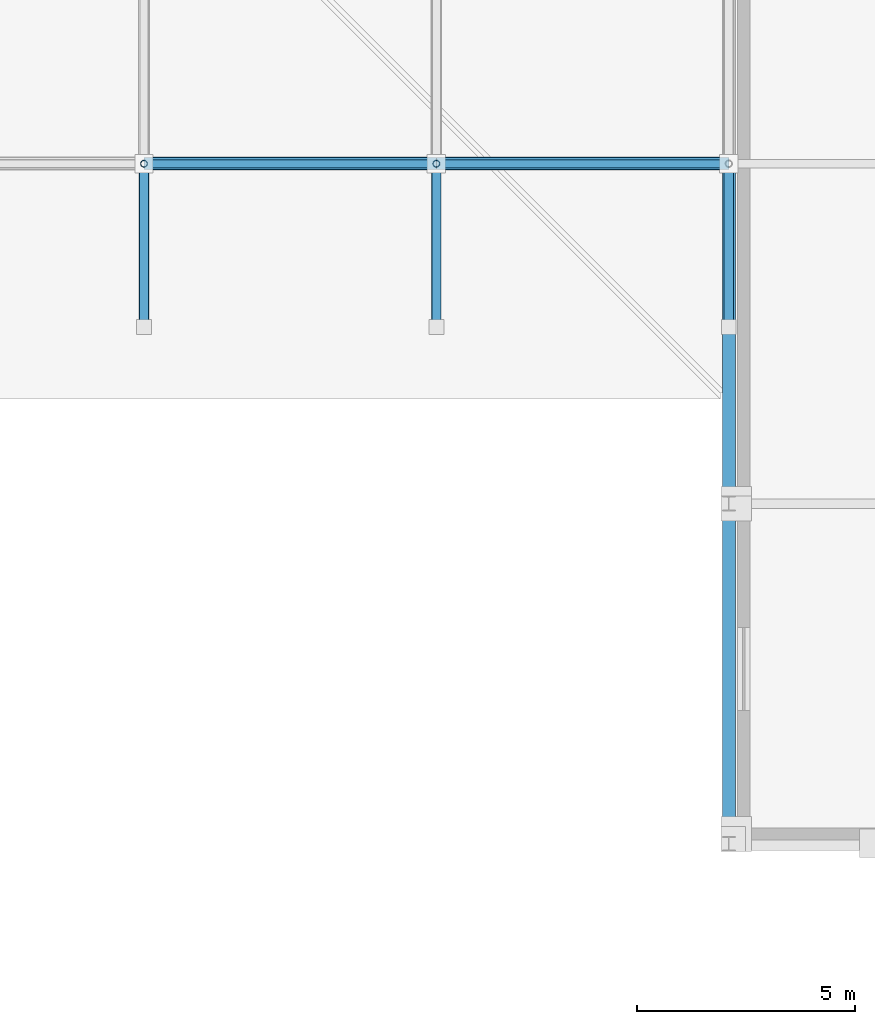
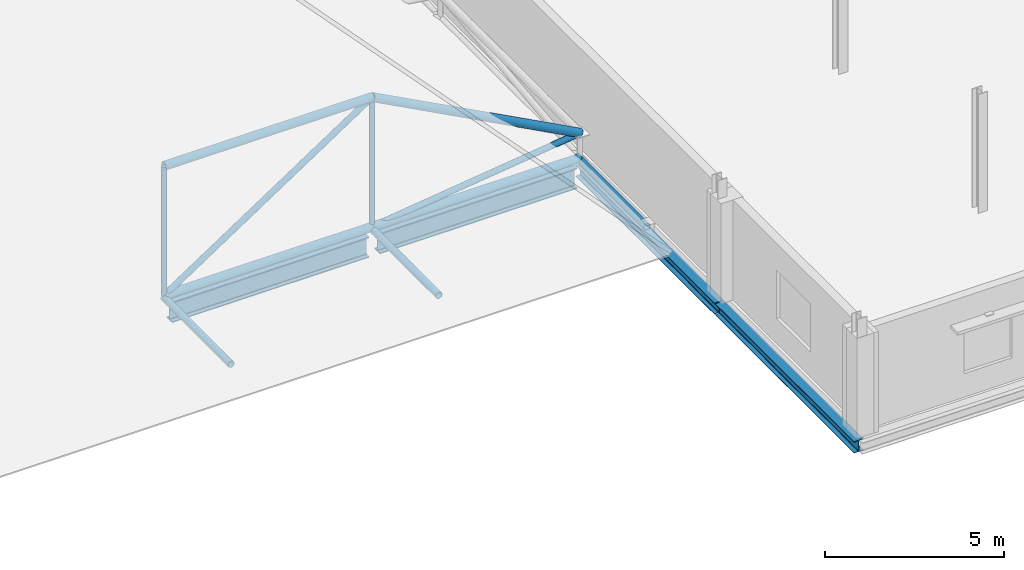
# One storey, part 31 of 77: 11 members, 4 beams.
"""IFC4 building model written with IfcOpenShell, lengths in metres."""

import ifcopenshell
import ifcopenshell.guid

model = None  # the IFC model being written
_history = None  # IfcOwnerHistory: only IFC2X3 demands one
_inside = {}  # id of a spatial element -> (the spatial element, [elements in it])
_under = {}  # id of a project, library or spatial element -> (it, [spatial elements below it])
_declared = {}  # id of a project -> (the project, [libraries it declares])
_typed = {}  # id of a type object -> (the type object, [elements of that type])
_made_of = {}  # id of a material, layer set ... -> (it, [elements and type objects made of it])


def new_model(schema):
    """Start an empty IFC model of exactly this schema.

    Asked for "IFC4X3", IfcOpenShell would pick the latest addendum, in which some entities
    have other attributes; the version numbers below select the first issue.
    IFC2X3 requires an IfcOwnerHistory on every rooted entity: one is made here for all.
    """
    global model, _history
    if schema == "IFC4X3":
        model = ifcopenshell.file(schema_version=(4, 3, 0, 0))
    else:
        model = ifcopenshell.file(schema=schema)
    _inside.clear()
    _under.clear()
    _declared.clear()
    _typed.clear()
    _made_of.clear()
    _history = None
    if model.schema == "IFC2X3":
        org = make("IfcOrganization", Name="unknown")
        user = make(
            "IfcPersonAndOrganization",
            ThePerson=make("IfcPerson", FamilyName="unknown"),
            TheOrganization=org,
        )
        app = make(
            "IfcApplication",
            ApplicationDeveloper=org,
            Version="unknown",
            ApplicationFullName="unknown",
            ApplicationIdentifier="unknown",
        )
        _history = make(
            "IfcOwnerHistory",
            OwningUser=user,
            OwningApplication=app,
            ChangeAction="ADDED",
            CreationDate=0,
        )
    return model


def make(cls, **values):
    """One entity of the class cls with the attributes given. An attribute that is None is left unset."""
    return model.create_entity(
        cls, **{name: value for name, value in values.items() if value is not None}
    )


def rooted(cls, **values):
    """An entity with a GlobalId (a new one), such as an element, a storey or a relation."""
    return make(cls, GlobalId=ifcopenshell.guid.new(), OwnerHistory=_history, **values)


def si_unit(unit_type, name, prefix=None):
    """IfcSIUnit, for example si_unit("LENGTHUNIT", "METRE", prefix="MILLI")."""
    return make("IfcSIUnit", UnitType=unit_type, Prefix=prefix, Name=name)


def assignment(units):
    """IfcUnitAssignment: the units of a project."""
    return None if units is None else make("IfcUnitAssignment", Units=units)


def point(xyz):
    """IfcCartesianPoint."""
    return None if xyz is None else make("IfcCartesianPoint", Coordinates=xyz)


def direction(xyz):
    """IfcDirection."""
    return None if xyz is None else make("IfcDirection", DirectionRatios=xyz)


def frame(location, z_axis=None, x_axis=None):
    """IfcAxis2Placement3D, a coordinate frame: its origin and axes. An axis left out is left unset."""
    return make(
        "IfcAxis2Placement3D",
        Location=point(location),
        Axis=direction(z_axis),
        RefDirection=direction(x_axis),
    )


def frame_2d(location, x_axis=None):
    """IfcAxis2Placement2D, a coordinate frame in the plane: its origin and x axis."""
    return make(
        "IfcAxis2Placement2D", Location=point(location), RefDirection=direction(x_axis)
    )


def origin():
    """The frame at (0, 0, 0) with its axes left unset."""
    return frame((0.0, 0.0, 0.0))


def origin_2d():
    """The frame at (0, 0) in the plane with its x axis left unset."""
    return frame_2d((0.0, 0.0))


def place(relative_to, where):
    """IfcLocalPlacement: puts the frame where relative to a parent placement (None: the world)."""
    return make(
        "IfcLocalPlacement", PlacementRelTo=relative_to, RelativePlacement=where
    )


def context(
    kind, dimensions, precision=None, world=None, true_north=None, identifier=None
):
    """IfcGeometricRepresentationContext, for example the 3D "Model" context."""
    return make(
        "IfcGeometricRepresentationContext",
        ContextIdentifier=identifier,
        ContextType=kind,
        CoordinateSpaceDimension=dimensions,
        Precision=precision,
        WorldCoordinateSystem=world,
        TrueNorth=true_north,
    )


def subcontext(parent, identifier, kind, view, scale=None):
    """IfcGeometricRepresentationSubContext, for example "Body" below "Model"."""
    return make(
        "IfcGeometricRepresentationSubContext",
        ContextIdentifier=identifier,
        ContextType=kind,
        ParentContext=parent,
        TargetScale=scale,
        TargetView=view,
    )


def project(units=None, contexts=None):
    """IfcProject with its units and contexts."""
    return rooted(
        "IfcProject",
        Name="project",
        RepresentationContexts=contexts,
        UnitsInContext=assignment(units),
    )


def spatial(cls, under=None, at=None, **own):
    """A site, building, storey or space (cls), placed at a placement, below another one or the project."""
    s = rooted(cls, ObjectPlacement=at, **own)
    if under is not None:
        _under.setdefault(under.id(), (under, []))[1].append(s)
    return s


def profile(cls, at=None, kind="AREA", **sizes):
    """A parametric profile (cls). Its sizes go by their IFC names, for example OverallWidth=200.0."""
    return make(cls, ProfileType=kind, Position=at, **sizes)


def hollow_circle(**sizes):
    """IfcCircleHollowProfileDef."""
    return profile("IfcCircleHollowProfileDef", **sizes)


def i_section(**sizes):
    """IfcIShapeProfileDef."""
    return profile("IfcIShapeProfileDef", **sizes)


def extrude(swept, where, along, depth):
    """IfcExtrudedAreaSolid: the profile swept, set in the frame where, extruded along a direction by depth."""
    return make(
        "IfcExtrudedAreaSolid",
        SweptArea=swept,
        Position=where,
        ExtrudedDirection=direction(along),
        Depth=depth,
    )


def shape(context_of_items, identifier, shape_type, items):
    """IfcShapeRepresentation: the items that make up one representation, for example the "Body"."""
    return make(
        "IfcShapeRepresentation",
        ContextOfItems=context_of_items,
        RepresentationIdentifier=identifier,
        RepresentationType=shape_type,
        Items=items,
    )


def material(Name=None, Category=None):
    """IfcMaterial."""
    return make("IfcMaterial", Name=Name, Category=Category)


def material_profile(
    of_material, cross_section, Name=None, Category=None, Priority=None
):
    """IfcMaterialProfile: a cross section and its material."""
    return make(
        "IfcMaterialProfile",
        Name=Name,
        Material=of_material,
        Profile=cross_section,
        Priority=Priority,
        Category=Category,
    )


def profile_set(profiles, Name=None, composite=None):
    """IfcMaterialProfileSet."""
    return make(
        "IfcMaterialProfileSet",
        Name=Name,
        MaterialProfiles=profiles,
        CompositeProfile=composite,
    )


def made_of(thing, what):
    """Note that an element or type object is made of a material, layer set ...; save() writes the relation."""
    if what is not None:
        _made_of.setdefault(what.id(), (what, []))[1].append(thing)
    return thing


def type_object(cls, material=None, **own):
    """A type object (cls), such as IfcWallType, which elements share."""
    return made_of(rooted(cls, **own), material)


def element(
    cls,
    number,
    at=None,
    inside=None,
    cuts=None,
    type_object=None,
    material=None,
    context=None,
    identifier="Body",
    shape_type=None,
    held_by="IfcProductDefinitionShape",
    body=None,
    shapes=None,
    **own,
):
    """One element of the class cls, such as IfcWall. Its Tag is "e" and its number.

    at: its placement. inside: the storey or other place that contains it. cuts: it is an
    opening in that element (IfcRelVoidsElement). A single representation is given by context,
    identifier, shape_type and body (its items); several are given by shapes. held_by: the class
    of the entity that holds the representations. save() writes the other relations.
    """
    e = rooted(cls, Tag="e%d" % number, ObjectPlacement=at, **own)
    if body is not None:
        shapes = [shape(context, identifier, shape_type, body)]
    if shapes is not None:
        e.Representation = make(held_by, Representations=shapes)
    if inside is not None:
        _inside.setdefault(inside.id(), (inside, []))[1].append(e)
    if cuts is not None:
        rooted(
            "IfcRelVoidsElement", RelatingBuildingElement=cuts, RelatedOpeningElement=e
        )
    if type_object is not None:
        _typed.setdefault(type_object.id(), (type_object, []))[1].append(e)
    return made_of(e, material)


def aggregate(whole, parts):
    """IfcRelAggregates: a whole, such as a stair, and the parts it consists of."""
    return rooted("IfcRelAggregates", RelatingObject=whole, RelatedObjects=parts)


def save(model, path):
    """Write the relations noted so far, then the file.

    IfcRelAggregates (storeys below a building ...), IfcRelContainedInSpatialStructure (elements
    in a storey), IfcRelDefinesByType, IfcRelAssociatesMaterial and IfcRelDeclares: one each for
    every whole, place, type object, material and project.
    """
    for whole, parts in _under.values():
        aggregate(whole, parts)
    for where, things in _inside.values():
        rooted(
            "IfcRelContainedInSpatialStructure",
            RelatedElements=things,
            RelatingStructure=where,
        )
    for kind, things in _typed.values():
        rooted("IfcRelDefinesByType", RelatedObjects=things, RelatingType=kind)
    for what, things in _made_of.values():
        rooted("IfcRelAssociatesMaterial", RelatedObjects=things, RelatingMaterial=what)
    for by, libraries in _declared.values():
        rooted("IfcRelDeclares", RelatingContext=by, RelatedDefinitions=libraries)
    model.write(path)


model = new_model("IFC4")

# Units and contexts
model_context = context("Model", 3, precision=1e-05, world=origin(), true_north=direction((0.0, 1.0)))
body_context = subcontext(model_context, "Body", "Model", "MODEL_VIEW")
ifc_project = project(units=[si_unit("LENGTHUNIT", "METRE"), si_unit("AREAUNIT", "SQUARE_METRE"), si_unit("VOLUMEUNIT", "CUBIC_METRE"), si_unit("PLANEANGLEUNIT", "RADIAN"), si_unit("MASSUNIT", "GRAM", prefix="KILO")], contexts=[model_context])

# Site, building, storey
site_placement = place(None, origin())
site = spatial("IfcSite", under=ifc_project, at=site_placement, CompositionType="ELEMENT")
building_placement = place(site_placement, origin())
building = spatial("IfcBuilding", under=site, at=building_placement, Name="Nabrawat Pavilion Hospital", CompositionType="ELEMENT")
storey_placement = place(building_placement, frame((0.0, 0.0, 14.85009765625)))
storey = spatial("IfcBuildingStorey", under=building, at=storey_placement, Name="L03", CompositionType="ELEMENT", Elevation=14.85009765625)

# Beams
ifc_material = material(Name="Steel S355", Category="steel")
ifc_material_profile_1 = material_profile(ifc_material, i_section(OverallWidth=0.300048828125, OverallDepth=0.699951171875, WebThickness=0.01708984375, FlangeThickness=0.031982421875, FilletRadius=0.027099609375, at=origin_2d()), Name="HEB 700")
ifc_profile_set_1 = profile_set([ifc_material_profile_1], Name="Steel S355")
beam_type_1 = type_object("IfcBeamType", Name="Main Hall Space-Frame Perimeter Ring Girder HEB 700", PredefinedType="USERDEFINED", material=ifc_profile_set_1)
for number, where, z_axis, x_axis, name in (
    (1, (112.757080078125, 15.60009765625, -0.60009765625), (1.0, 0.0, 0.0), (0.0, 1.0, 0.0), "L03 Main Hall Space-Frame Perimeter Ring Girder 1436"),
    (2, (119.465087890625, 15.60009765625, -0.60009765625), (1.0, 0.0, 0.0), (0.0, 1.0, 0.0), "L03 Main Hall Space-Frame Perimeter Ring Girder 1437"),
):
    element("IfcBeam", number, at=place(storey_placement, frame(where, z_axis=z_axis, x_axis=x_axis)), inside=storey, type_object=beam_type_1, Name=name, ObjectType="GIRDER", PredefinedType="USERDEFINED", context=body_context, shape_type="SweptSolid", body=[
        extrude(i_section(OverallWidth=0.300048828125, OverallDepth=0.699951171875, WebThickness=0.01708984375, FlangeThickness=0.031982421875, FilletRadius=0.027099609375, at=origin_2d()), origin(), (0.0, 0.0, 1.0), 6.36181640625),
    ])
ifc_material_profile_2 = material_profile(ifc_material, i_section(OverallWidth=0.300048828125, OverallDepth=0.389892578125, WebThickness=0.010986328125, FlangeThickness=0.01904296875, FilletRadius=0.027099609375, at=origin_2d()), Name="HEA 400")
ifc_profile_set_2 = profile_set([ifc_material_profile_2], Name="Steel S355")
beam_type_2 = type_object("IfcBeamType", Name="Perimeter Moment Spandrel Beam HEA 400", PredefinedType="SPANDREL", material=ifc_profile_set_2)
for number, where, z_axis, x_axis, name in (
    (3, (126.0, 0.02001953125, -0.425048828125), (0.0, 1.0, 0.0), (-1.0, 0.0, 0.0), "L03 Primary Y Beam 1624"),
    (4, (126.0, 7.820068359375, -0.425048828125), (0.0, 1.0, 0.0), (-1.0, 0.0, 0.0), "L03 Primary Y Beam 1625"),
):
    element("IfcBeam", number, at=place(storey_placement, frame(where, z_axis=z_axis, x_axis=x_axis)), inside=storey, type_object=beam_type_2, Name=name, PredefinedType="SPANDREL", context=body_context, shape_type="SweptSolid", body=[
        extrude(i_section(OverallWidth=0.300048828125, OverallDepth=0.389892578125, WebThickness=0.010986328125, FlangeThickness=0.01904296875, FilletRadius=0.027099609375, at=origin_2d()), origin(), (0.0, 0.0, 1.0), 7.760009765625),
    ])

# Members
ifc_material_profile_3 = material_profile(ifc_material, hollow_circle(Radius=0.109619140625, WallThickness=0.012451171875, at=origin_2d()), Name="CHS 219.1x12.5")
ifc_profile_set_3 = profile_set([ifc_material_profile_3], Name="Steel S355")
member_type_1 = type_object("IfcMemberType", Name="Space Frame Overhanging Eave Strut CHS 219.1x12.5", PredefinedType="STRUT", material=ifc_profile_set_3)
for number, where, z_axis, x_axis, name in (
    (5, (112.583984375, 15.60009765625, -0.110107421875), (0.0, -0.999996437516, -0.002669261324), (1.0, 0.0, 0.0), "Space Frame Overhanging Eave Strut South 0280"),
    (6, (119.2919921875, 15.60009765625, -0.110107421875), (0.0, -0.999996437516, -0.002669261324), (1.0, 0.0, 0.0), "Space Frame Overhanging Eave Strut South 0282"),
    (7, (126.0, 15.60009765625, -0.110107421875), (0.0, -0.999996437516, -0.002669261324), (1.0, 0.0, 0.0), "Space Frame Overhanging Eave Strut South 0284"),
):
    element("IfcMember", number, at=place(storey_placement, frame(where, z_axis=z_axis, x_axis=x_axis)), inside=storey, type_object=member_type_1, Name=name, PredefinedType="STRUT", context=body_context, shape_type="SweptSolid", body=[
        extrude(hollow_circle(Radius=0.109619140625, WallThickness=0.012451171875, at=origin_2d()), origin(), (0.0, 0.0, 1.0), 3.75),
    ])
ifc_material_profile_4 = material_profile(ifc_material, hollow_circle(Radius=0.136474609375, WallThickness=0.012451171875, at=origin_2d()), Name="CHS 273x12.5")
ifc_profile_set_4 = profile_set([ifc_material_profile_4], Name="Steel S355")
member_type_2 = type_object("IfcMemberType", Name="Space Frame Primary Chord CHS 273x12.5", PredefinedType="CHORD", material=ifc_profile_set_4)
for number, where, z_axis, x_axis, name in (
    (8, (112.583984375, 15.60009765625, 4.373046875), (1.0, 0.0, 0.0), (0.0, 1.0, 0.0), "Space Frame Chord Top X 0201"),
    (9, (112.583984375, 15.60009765625, -0.050048828125), (1.0, 0.0, 0.0), (0.0, 1.0, 0.0), "Space Frame Chord Bottom X 0202"),
):
    element("IfcMember", number, at=place(storey_placement, frame(where, z_axis=z_axis, x_axis=x_axis)), inside=storey, type_object=member_type_2, Name=name, PredefinedType="CHORD", context=body_context, shape_type="SweptSolid", body=[
        extrude(hollow_circle(Radius=0.136474609375, WallThickness=0.012451171875, at=origin_2d()), origin(), (0.0, 0.0, 1.0), 6.7080078125),
    ])
member_1_placement = place(storey_placement, frame((119.2919921875, 15.60009765625, 4.373046875), z_axis=(0.882591132952, 0.0, -0.470141353249), x_axis=(0.0, 1.0, 0.0)))
element("IfcMember", 10, at=member_1_placement, inside=storey, type_object=member_type_2, Name="Space Frame Chord Top X 0226", PredefinedType="CHORD", context=body_context, shape_type="SweptSolid", body=[
    extrude(hollow_circle(Radius=0.136474609375, WallThickness=0.012451171875, at=origin_2d()), origin(), (0.0, 0.0, 1.0), 7.600341796875),
])
member_2_placement = place(storey_placement, frame((119.2919921875, 15.60009765625, -0.050048828125), z_axis=(1.0, 0.0, 0.0), x_axis=(0.0, 1.0, 0.0)))
element("IfcMember", 11, at=member_2_placement, inside=storey, type_object=member_type_2, Name="Space Frame Chord Bottom X 0227", PredefinedType="CHORD", context=body_context, shape_type="SweptSolid", body=[
    extrude(hollow_circle(Radius=0.136474609375, WallThickness=0.012451171875, at=origin_2d()), origin(), (0.0, 0.0, 1.0), 6.7080078125),
])
ifc_material_profile_5 = material_profile(ifc_material, hollow_circle(Radius=0.096923828125, WallThickness=0.010009765625, at=origin_2d()), Name="CHS 193.7x10")
ifc_profile_set_5 = profile_set([ifc_material_profile_5], Name="Steel S355")
member_type_3 = type_object("IfcMemberType", Name="Space Frame Primary Diagonal CHS 193.7x10", PredefinedType="BRACE", material=ifc_profile_set_5)
member_3_placement = place(storey_placement, frame((112.583984375, 15.60009765625, -0.050048828125), z_axis=(0.834849035362, 0.0, 0.5504789625), x_axis=(0.0, 1.0, 0.0)))
element("IfcMember", 12, at=member_3_placement, inside=storey, type_object=member_type_3, Name="Space Frame Diagonal Web X 0206", PredefinedType="BRACE", context=body_context, shape_type="SweptSolid", body=[
    extrude(hollow_circle(Radius=0.096923828125, WallThickness=0.010009765625, at=origin_2d()), origin(), (0.0, 0.0, 1.0), 8.034912109375),
])
member_4_placement = place(storey_placement, frame((119.2919921875, 15.60009765625, -0.050048828125), z_axis=(0.992069857778, 0.0, 0.125687697442), x_axis=(0.0, 1.0, 0.0)))
element("IfcMember", 13, at=member_4_placement, inside=storey, type_object=member_type_3, Name="Space Frame Diagonal Web X 0231", PredefinedType="BRACE", context=body_context, shape_type="SweptSolid", body=[
    extrude(hollow_circle(Radius=0.096923828125, WallThickness=0.010009765625, at=origin_2d()), origin(), (0.0, 0.0, 1.0), 6.76171875),
])
ifc_material_profile_6 = material_profile(ifc_material, hollow_circle(Radius=0.07958984375, WallThickness=0.008056640625, at=origin_2d()), Name="CHS 159x8")
ifc_profile_set_6 = profile_set([ifc_material_profile_6], Name="Steel S355")
member_type_4 = type_object("IfcMemberType", Name="Space Frame Vertical Web Post CHS 159x8", PredefinedType="BRACE", material=ifc_profile_set_6)
for number, where, z_axis, x_axis, name in (
    (14, (112.583984375, 15.60009765625, -0.050048828125), (0.0, 0.0, 1.0), (1.0, 0.0, 0.0), "Space Frame Diagonal Post 0205"),
    (15, (119.2919921875, 15.60009765625, -0.050048828125), (0.0, 0.0, 1.0), (1.0, 0.0, 0.0), "Space Frame Diagonal Post 0230"),
):
    element("IfcMember", number, at=place(storey_placement, frame(where, z_axis=z_axis, x_axis=x_axis)), inside=storey, type_object=member_type_4, Name=name, PredefinedType="BRACE", context=body_context, shape_type="SweptSolid", body=[
        extrude(hollow_circle(Radius=0.07958984375, WallThickness=0.008056640625, at=origin_2d()), origin(), (0.0, 0.0, 1.0), 4.423095703125),
    ])

save(model, "model.ifc")
